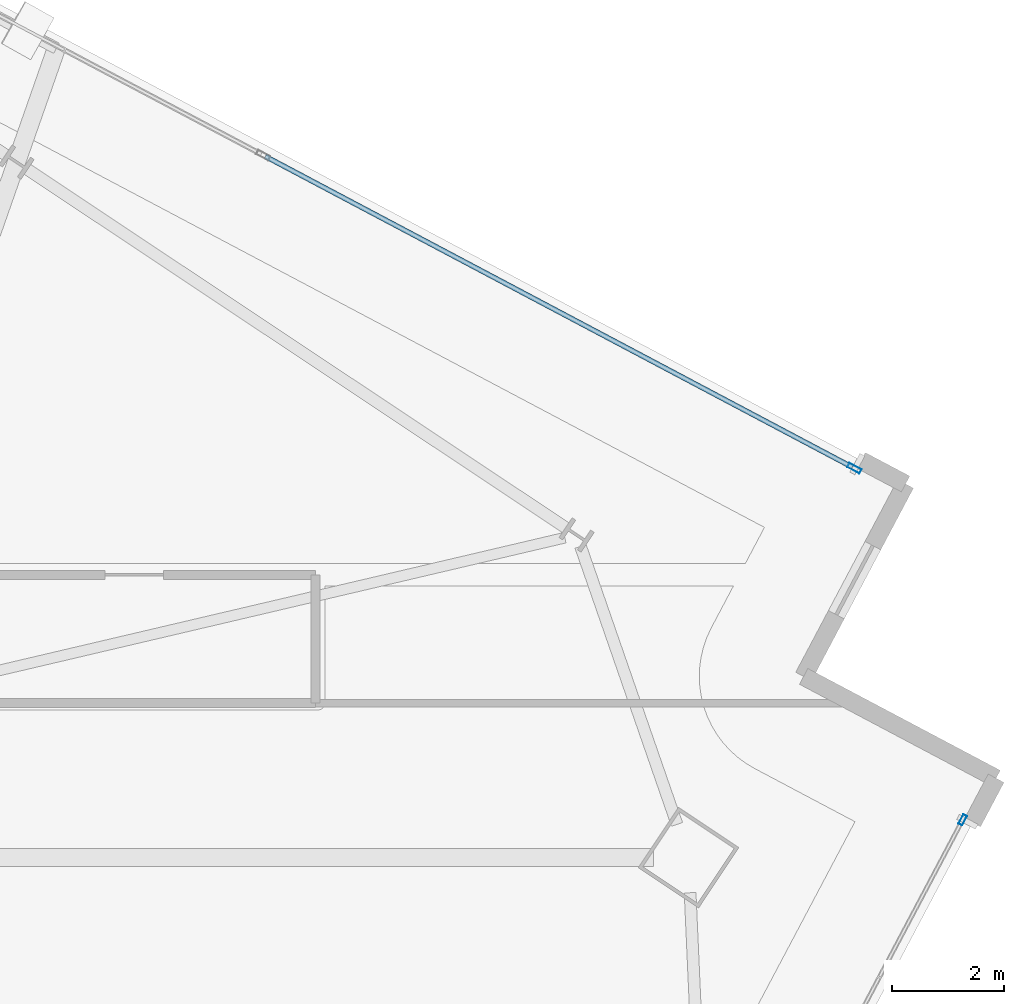
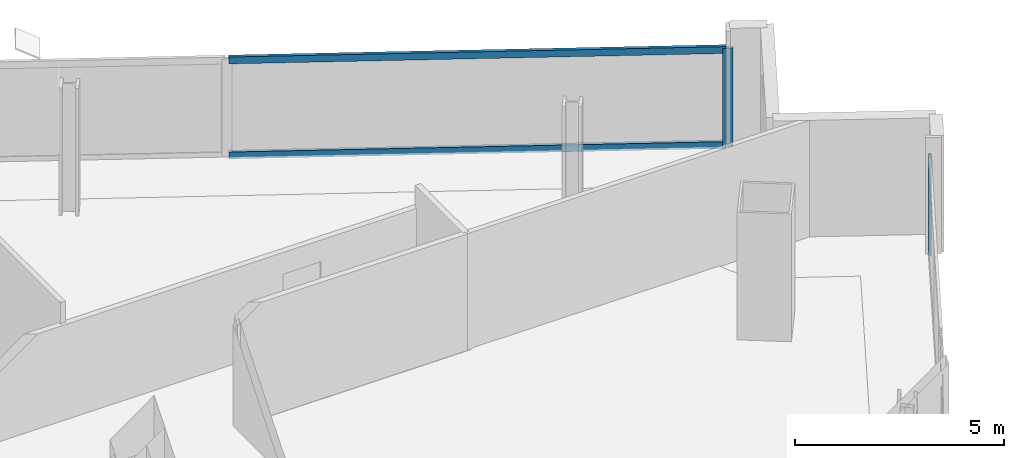
# One storey, part 17 of 28: 4 members, 2 elements without a shape of their own.
"""IFC4 building model written with IfcOpenShell, lengths in metres."""

from ifc_helpers import new_model, si_unit, direction, frame, origin, origin_2d, place, context, subcontext, project, spatial, hollow_rectangle, extrude, material, material_profile, profile_set, type_object, element, aggregate, save


model = new_model("IFC4")

# Units and contexts
model_context = context("Model", 3, precision=1e-05, world=origin(), true_north=direction((0.0, 1.0)))
body_context = subcontext(model_context, "Body", "Model", "MODEL_VIEW")
ifc_project = project(units=[si_unit("LENGTHUNIT", "METRE"), si_unit("AREAUNIT", "SQUARE_METRE"), si_unit("VOLUMEUNIT", "CUBIC_METRE"), si_unit("PLANEANGLEUNIT", "RADIAN"), si_unit("MASSUNIT", "GRAM", prefix="KILO")], contexts=[model_context])

# Site, building, storey
site_placement = place(None, origin())
site = spatial("IfcSite", under=ifc_project, at=site_placement, CompositionType="ELEMENT")
building_placement = place(site_placement, origin())
building = spatial("IfcBuilding", under=site, at=building_placement, Name="Haldenkirk Collegiate Tower", CompositionType="ELEMENT")
storey_placement = place(building_placement, frame((0.0, 0.0, 235.949951171875)))
storey = spatial("IfcBuildingStorey", under=building, at=storey_placement, Name="L59", CompositionType="ELEMENT", Elevation=235.949951171875)

# Curtain wall, member
ifc_material = material(Name="Anodised architectural bronze aluminium", Category="aluminium")
curtain_wall_type_1 = type_object("IfcCurtainWallType", Name="CW-SYS2-CONCAVE", PredefinedType="USERDEFINED", material=ifc_material)
curtain_wall_1_placement = place(storey_placement, origin())
curtain_wall_1 = element("IfcCurtainWall", 1, at=curtain_wall_1_placement, inside=storey, type_object=curtain_wall_type_1, Name="L59 South concave recessed bronze-anodised curtain wall", ObjectType="UNITISED CURTAIN WALL", PredefinedType="USERDEFINED")
ifc_material_profile_1 = material_profile(ifc_material, hollow_rectangle(XDim=0.074951171875, YDim=0.18994140625, WallThickness=0.0048828125, at=origin_2d()), Name="CW-MUL-02")
ifc_profile_set_1 = profile_set([ifc_material_profile_1], Name="Anodised architectural bronze aluminium")
member_type_1 = type_object("IfcMemberType", Name="CW-MUL-02", PredefinedType="MULLION", material=ifc_profile_set_1)
member_1_placement = place(storey_placement, frame((65.39794921875, 32.060546875, 0.0), z_axis=(0.0, 0.0, 1.0), x_axis=(0.883764543584, -0.467931866304, 0.0)))
member_1 = element("IfcMember", 2, at=member_1_placement, type_object=member_type_1, Name="CW-02 mullion 1", PredefinedType="MULLION", context=body_context, shape_type="SweptSolid", body=[
    extrude(hollow_rectangle(XDim=0.074951171875, YDim=0.18994140625, WallThickness=0.0048828125, at=origin_2d()), origin(), (0.0, 0.0, 1.0), 2.858154296875),
])
aggregate(curtain_wall_1, [member_1])

# Curtain wall, members
curtain_wall_type_2 = type_object("IfcCurtainWallType", Name="CW-SYS1B-CONVEX-HI", PredefinedType="USERDEFINED", material=ifc_material)
curtain_wall_2_placement = place(storey_placement, origin())
curtain_wall_2 = element("IfcCurtainWall", 3, at=curtain_wall_2_placement, inside=storey, type_object=curtain_wall_type_2, Name="L59 Upper tower high-wind convex bronze unitised curtain wall", ObjectType="UNITISED CURTAIN WALL", PredefinedType="USERDEFINED")
ifc_material_profile_2 = material_profile(ifc_material, hollow_rectangle(XDim=0.0849609375, YDim=0.25, WallThickness=0.0048828125, at=origin_2d()), Name="CW-MUL-1B")
ifc_profile_set_2 = profile_set([ifc_material_profile_2], Name="Anodised architectural bronze aluminium")
member_type_2 = type_object("IfcMemberType", Name="CW-MUL-1B", PredefinedType="MULLION", material=ifc_profile_set_2)
member_2_placement = place(storey_placement, frame((63.45703125, 38.358642578125, 0.0), z_axis=(0.0, 0.0, 1.0), x_axis=(0.46792987673, 0.883765597013, 0.0)))
member_2 = element("IfcMember", 4, at=member_2_placement, type_object=member_type_2, Name="CW-1B mullion 4", PredefinedType="MULLION", context=body_context, shape_type="SweptSolid", body=[
    extrude(hollow_rectangle(XDim=0.0849609375, YDim=0.25, WallThickness=0.0048828125, at=origin_2d()), origin(), (0.0, 0.0, 1.0), 2.858154296875),
])
ifc_material_profile_3 = material_profile(ifc_material, hollow_rectangle(XDim=0.0849609375, YDim=0.199951171875, WallThickness=0.0048828125, at=origin_2d()), Name="CW-TRN-1B")
ifc_profile_set_3 = profile_set([ifc_material_profile_3], Name="Anodised architectural bronze aluminium")
member_type_3 = type_object("IfcMemberType", Name="CW-TRN-1B", PredefinedType="USERDEFINED", material=ifc_profile_set_3)
member_3_placement = place(storey_placement, frame((52.90478515625, 43.94580078125, 0.04248046875), z_axis=(0.883759963057, -0.467940517265, 0.0), x_axis=(0.467940517265, 0.883759963057, 0.0)))
member_3 = element("IfcMember", 5, at=member_3_placement, type_object=member_type_3, Name="CW-1B transom 3.1", ObjectType="TRANSOM", PredefinedType="USERDEFINED", context=body_context, shape_type="SweptSolid", body=[
    extrude(hollow_rectangle(XDim=0.0849609375, YDim=0.199951171875, WallThickness=0.0048828125, at=origin_2d()), origin(), (0.0, 0.0, 1.0), 11.897705078125),
])
member_4_placement = place(storey_placement, frame((52.90478515625, 43.94580078125, 2.8154296875), z_axis=(0.883759963057, -0.467940517265, 0.0), x_axis=(0.467940517265, 0.883759963057, 0.0)))
member_4 = element("IfcMember", 6, at=member_4_placement, type_object=member_type_3, Name="CW-1B transom 3.2", ObjectType="TRANSOM", PredefinedType="USERDEFINED", context=body_context, shape_type="SweptSolid", body=[
    extrude(hollow_rectangle(XDim=0.0849609375, YDim=0.199951171875, WallThickness=0.0048828125, at=origin_2d()), origin(), (0.0, 0.0, 1.0), 11.897705078125),
])
aggregate(curtain_wall_2, [member_2, member_3, member_4])

save(model, "model.ifc")
